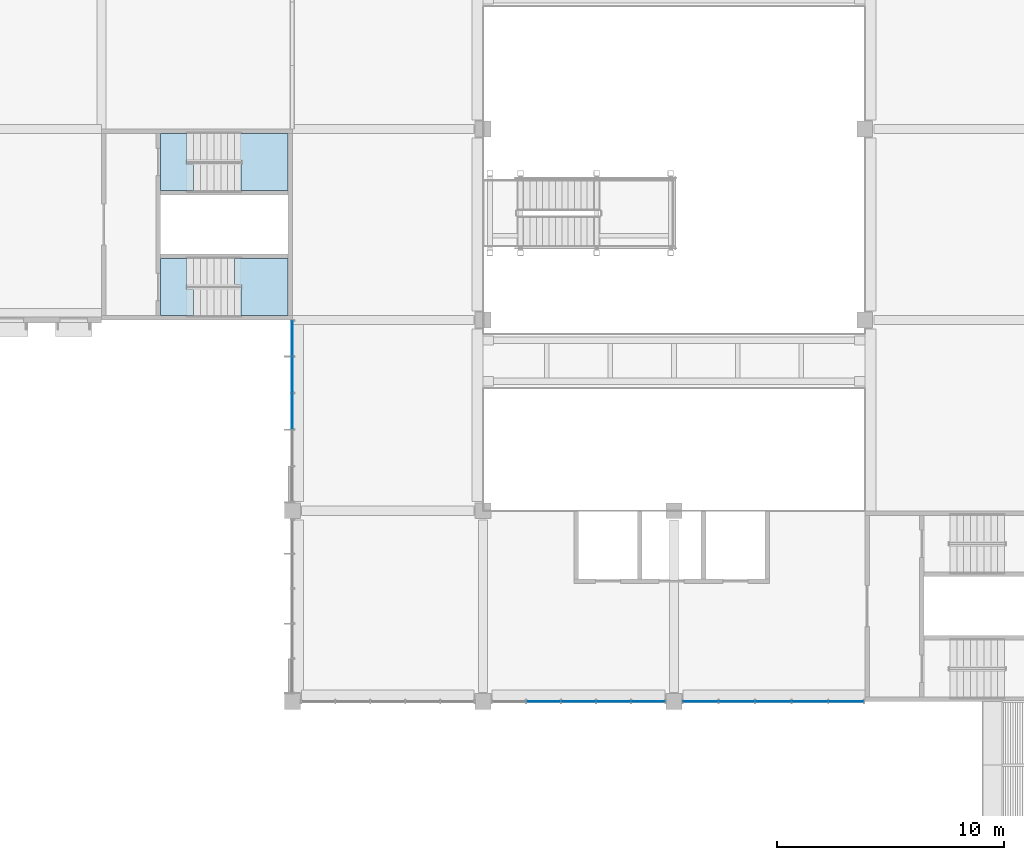
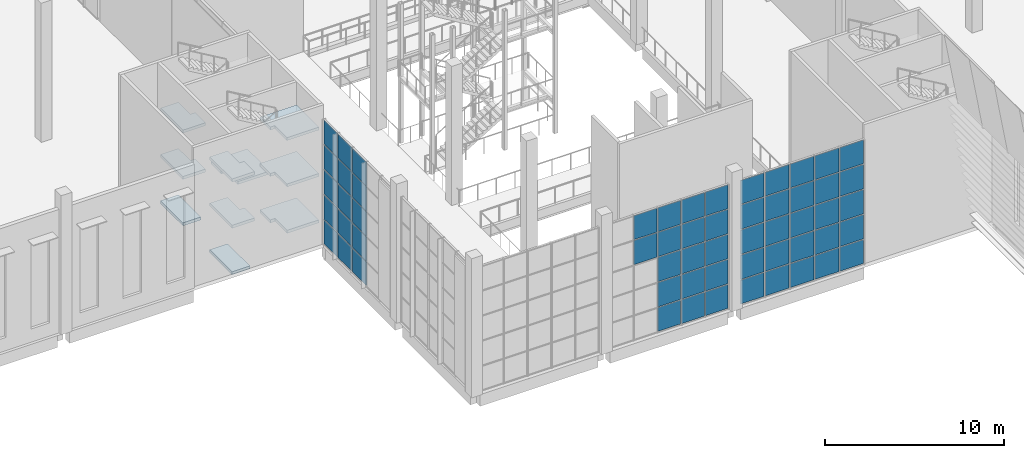
# One storey, part 35 of 114: 57 plates, 10 slabs, 5 elements without a shape of their own.
"""IFC4 building model written with IfcOpenShell, lengths in metres."""

from ifc_helpers import new_model, si_unit, direction, frame, origin, origin_2d, place, context, subcontext, project, spatial, polyline, rectangle, outline, extrude, material, layer, layer_set, type_object, element, aggregate, save


model = new_model("IFC4")

# Units and contexts
model_context = context("Model", 3, precision=1e-05, world=origin(), true_north=direction((0.0, 1.0)))
body_context = subcontext(model_context, "Body", "Model", "MODEL_VIEW")
ifc_project = project(units=[si_unit("LENGTHUNIT", "METRE"), si_unit("AREAUNIT", "SQUARE_METRE"), si_unit("VOLUMEUNIT", "CUBIC_METRE"), si_unit("PLANEANGLEUNIT", "RADIAN"), si_unit("MASSUNIT", "GRAM", prefix="KILO")], contexts=[model_context])

# Site, building, storey
site_placement = place(None, origin())
site = spatial("IfcSite", under=ifc_project, at=site_placement, CompositionType="ELEMENT")
building_placement = place(site_placement, origin())
building = spatial("IfcBuilding", under=site, at=building_placement, Name="Almond Square Museum", CompositionType="ELEMENT")
storey_placement = place(building_placement, frame((0.0, 0.0, 10.5)))
storey = spatial("IfcBuildingStorey", under=building, at=storey_placement, Name="L02", CompositionType="ELEMENT", Elevation=10.5)

# Stair, slabs
ifc_material_1 = material(Name="Concrete C40/50", Category="concrete")
stair_type = type_object("IfcStairType", Name="Exit stair 54 risers of 176 mm", PredefinedType="HALF_TURN_STAIR", material=ifc_material_1)
stair_1_placement = place(storey_placement, origin())
stair_1 = element("IfcStair", 1, at=stair_1_placement, inside=storey, type_object=stair_type, Name="L02 stair N2-1", PredefinedType="HALF_TURN_STAIR")
ifc_material_2 = material(Name="Concrete C40/50", Category="concrete")
ifc_layer_1 = layer(ifc_material_2, 0.199951171875)
ifc_layer_set_1 = layer_set([ifc_layer_1], Name="Concrete C40/50")
slab_type = type_object("IfcSlabType", Name="Concrete stair landing 200", PredefinedType="LANDING", material=ifc_layer_set_1)
slab_1_placement = place(storey_placement, frame((0.0, 0.0, 1.38330078125)))
slab_1 = element("IfcSlab", 2, at=slab_1_placement, type_object=slab_type, Name="ST-19 landing 1", PredefinedType="LANDING", context=body_context, shape_type="SweptSolid", body=[
    extrude(outline(polyline([(70.947021484375, 84.199951171875), (73.0, 84.199951171875), (73.0, 86.699951171875), (70.64990234375, 86.699951171875), (70.64990234375, 85.550048828125), (70.947021484375, 85.550048828125), (70.947021484375, 84.199951171875)])), origin(), (0.0, 0.0, 1.0), 0.199951171875),
])
slab_2_placement = place(storey_placement, frame((0.0, 0.0, 2.966552734375)))
slab_2 = element("IfcSlab", 3, at=slab_2_placement, type_object=slab_type, Name="ST-19 landing 2", PredefinedType="LANDING", context=body_context, shape_type="SweptSolid", body=[
    extrude(outline(polyline([(67.39990234375, 84.199951171875), (68.550048828125, 84.199951171875), (68.85009765625, 84.199951171875), (68.85009765625, 85.35009765625), (68.552978515625, 85.35009765625), (68.552978515625, 86.699951171875), (67.39990234375, 86.699951171875), (67.39990234375, 84.199951171875)])), origin(), (0.0, 0.0, 1.0), 0.2001953125),
])
slab_3_placement = place(storey_placement, frame((0.0, 0.0, 4.550048828125)))
slab_3 = element("IfcSlab", 4, at=slab_3_placement, type_object=slab_type, Name="ST-19 landing 3", PredefinedType="LANDING", context=body_context, shape_type="SweptSolid", body=[
    extrude(outline(polyline([(70.947021484375, 84.199951171875), (73.0, 84.199951171875), (73.0, 86.699951171875), (70.64990234375, 86.699951171875), (70.64990234375, 85.550048828125), (70.947021484375, 85.550048828125), (70.947021484375, 84.199951171875)])), origin(), (0.0, 0.0, 1.0), 0.199951171875),
])
slab_4_placement = place(storey_placement, frame((0.0, 0.0, 6.13330078125)))
slab_4 = element("IfcSlab", 5, at=slab_4_placement, type_object=slab_type, Name="ST-19 landing 4", PredefinedType="LANDING", context=body_context, shape_type="SweptSolid", body=[
    extrude(outline(polyline([(67.39990234375, 84.199951171875), (68.550048828125, 84.199951171875), (68.85009765625, 84.199951171875), (68.85009765625, 85.35009765625), (68.552978515625, 85.35009765625), (68.552978515625, 86.699951171875), (67.39990234375, 86.699951171875), (67.39990234375, 84.199951171875)])), origin(), (0.0, 0.0, 1.0), 0.199951171875),
])
slab_5_placement = place(storey_placement, frame((0.0, 0.0, 7.716552734375)))
slab_5 = element("IfcSlab", 6, at=slab_5_placement, type_object=slab_type, Name="ST-19 landing 5", PredefinedType="LANDING", context=body_context, shape_type="SweptSolid", body=[
    extrude(outline(polyline([(70.947021484375, 84.199951171875), (73.0, 84.199951171875), (73.0, 86.699951171875), (70.64990234375, 86.699951171875), (70.64990234375, 85.550048828125), (70.947021484375, 85.550048828125), (70.947021484375, 84.199951171875)])), origin(), (0.0, 0.0, 1.0), 0.2001953125),
])
aggregate(stair_1, [slab_1, slab_2, slab_3, slab_4, slab_5])

stair_2_placement = place(storey_placement, origin())
stair_2 = element("IfcStair", 7, at=stair_2_placement, inside=storey, type_object=stair_type, Name="L02 stair N2-2", PredefinedType="HALF_TURN_STAIR")
slab_6_placement = place(storey_placement, frame((0.0, 0.0, 1.38330078125)))
slab_6 = element("IfcSlab", 8, at=slab_6_placement, type_object=slab_type, Name="ST-20 landing 1", PredefinedType="LANDING", context=body_context, shape_type="SweptSolid", body=[
    extrude(outline(polyline([(70.947021484375, 89.699951171875), (73.0, 89.699951171875), (73.0, 92.199951171875), (70.64990234375, 92.199951171875), (70.64990234375, 91.050048828125), (70.947021484375, 91.050048828125), (70.947021484375, 89.699951171875)])), origin(), (0.0, 0.0, 1.0), 0.199951171875),
])
slab_7_placement = place(storey_placement, frame((0.0, 0.0, 2.966552734375)))
slab_7 = element("IfcSlab", 9, at=slab_7_placement, type_object=slab_type, Name="ST-20 landing 2", PredefinedType="LANDING", context=body_context, shape_type="SweptSolid", body=[
    extrude(outline(polyline([(67.39990234375, 89.699951171875), (68.550048828125, 89.699951171875), (68.85009765625, 89.699951171875), (68.85009765625, 90.85009765625), (68.552978515625, 90.85009765625), (68.552978515625, 92.199951171875), (67.39990234375, 92.199951171875), (67.39990234375, 89.699951171875)])), origin(), (0.0, 0.0, 1.0), 0.2001953125),
])
slab_8_placement = place(storey_placement, frame((0.0, 0.0, 6.13330078125)))
slab_8 = element("IfcSlab", 10, at=slab_8_placement, type_object=slab_type, Name="ST-20 landing 4", PredefinedType="LANDING", context=body_context, shape_type="SweptSolid", body=[
    extrude(outline(polyline([(67.39990234375, 89.699951171875), (68.550048828125, 89.699951171875), (68.85009765625, 89.699951171875), (68.85009765625, 90.85009765625), (68.552978515625, 90.85009765625), (68.552978515625, 92.199951171875), (67.39990234375, 92.199951171875), (67.39990234375, 89.699951171875)])), origin(), (0.0, 0.0, 1.0), 0.199951171875),
])
aggregate(stair_2, [slab_6, slab_7, slab_8])

# Slabs
slab_9_placement = place(storey_placement, frame((0.0, 0.0, -0.199951171875)))
element("IfcSlab", 11, at=slab_9_placement, inside=storey, type_object=slab_type, Name="L02 stair N2-1 floor landing", PredefinedType="LANDING", context=body_context, shape_type="SweptSolid", body=[
    extrude(outline(polyline([(67.39990234375, 84.199951171875), (68.552978515625, 84.199951171875), (68.552978515625, 86.699951171875), (67.39990234375, 86.699951171875), (67.39990234375, 84.199951171875)])), origin(), (0.0, 0.0, 1.0), 0.199951171875),
])
slab_10_placement = place(storey_placement, frame((0.0, 0.0, -0.199951171875)))
element("IfcSlab", 12, at=slab_10_placement, inside=storey, type_object=slab_type, Name="L02 stair N2-2 floor landing", PredefinedType="LANDING", context=body_context, shape_type="SweptSolid", body=[
    extrude(outline(polyline([(67.39990234375, 89.699951171875), (68.552978515625, 89.699951171875), (68.552978515625, 92.199951171875), (67.39990234375, 92.199951171875), (67.39990234375, 89.699951171875)])), origin(), (0.0, 0.0, 1.0), 0.199951171875),
])

# Curtain wall, plates
ifc_material_3 = material(Name="Aluminium and laminated glass", Category="aluminium")
curtain_wall_type = type_object("IfcCurtainWallType", Name="Unitised curtain wall 1500 module", PredefinedType="NOTDEFINED", material=ifc_material_3)
curtain_wall_1_placement = place(storey_placement, origin())
curtain_wall_1 = element("IfcCurtainWall", 13, at=curtain_wall_1_placement, inside=storey, type_object=curtain_wall_type, Name="Curtain wall CW-26", PredefinedType="NOTDEFINED")
ifc_material_4 = material(Name="Laminated hurricane-rated glass", Category="glass")
ifc_layer_2 = layer(ifc_material_4, 0.035888671875)
ifc_layer_set_2 = layer_set([ifc_layer_2], Name="Laminated hurricane-rated glass")
plate_type = type_object("IfcPlateType", Name="Laminated glass panel 36", PredefinedType="CURTAIN_PANEL", material=ifc_layer_set_2)
plate_1_placement = place(storey_placement, frame((73.199951171875, 79.97509765625, 0.06005859375), z_axis=(0.0, 0.0, 1.0), x_axis=(0.0, 1.0, 0.0)))
plate_1 = element("IfcPlate", 14, at=plate_1_placement, type_object=plate_type, Name="CW-26 panel 3.1", PredefinedType="CURTAIN_PANEL", context=body_context, shape_type="SweptSolid", body=[
    extrude(rectangle(XDim=1.550048828125, YDim=0.035888671875, at=origin_2d()), origin(), (0.0, 0.0, 1.0), 1.6201171875),
])
plate_2_placement = place(storey_placement, frame((73.199951171875, 79.97509765625, 1.739990234375), z_axis=(0.0, 0.0, 1.0), x_axis=(0.0, 1.0, 0.0)))
plate_2 = element("IfcPlate", 15, at=plate_2_placement, type_object=plate_type, Name="CW-26 panel 3.2", PredefinedType="CURTAIN_PANEL", context=body_context, shape_type="SweptSolid", body=[
    extrude(rectangle(XDim=1.550048828125, YDim=0.035888671875, at=origin_2d()), origin(), (0.0, 0.0, 1.0), 1.64990234375),
])
plate_3_placement = place(storey_placement, frame((73.199951171875, 79.97509765625, 3.449951171875), z_axis=(0.0, 0.0, 1.0), x_axis=(0.0, 1.0, 0.0)))
plate_3 = element("IfcPlate", 16, at=plate_3_placement, type_object=plate_type, Name="CW-26 panel 3.3", PredefinedType="CURTAIN_PANEL", context=body_context, shape_type="SweptSolid", body=[
    extrude(rectangle(XDim=1.550048828125, YDim=0.035888671875, at=origin_2d()), origin(), (0.0, 0.0, 1.0), 1.64990234375),
])
plate_4_placement = place(storey_placement, frame((73.199951171875, 79.97509765625, 5.16015625), z_axis=(0.0, 0.0, 1.0), x_axis=(0.0, 1.0, 0.0)))
plate_4 = element("IfcPlate", 17, at=plate_4_placement, type_object=plate_type, Name="CW-26 panel 3.4", PredefinedType="CURTAIN_PANEL", context=body_context, shape_type="SweptSolid", body=[
    extrude(rectangle(XDim=1.550048828125, YDim=0.035888671875, at=origin_2d()), origin(), (0.0, 0.0, 1.0), 1.64990234375),
])
plate_5_placement = place(storey_placement, frame((73.199951171875, 79.97509765625, 6.869873046875), z_axis=(0.0, 0.0, 1.0), x_axis=(0.0, 1.0, 0.0)))
plate_5 = element("IfcPlate", 18, at=plate_5_placement, type_object=plate_type, Name="CW-26 panel 3.5", PredefinedType="CURTAIN_PANEL", context=body_context, shape_type="SweptSolid", body=[
    extrude(rectangle(XDim=1.550048828125, YDim=0.035888671875, at=origin_2d()), origin(), (0.0, 0.0, 1.0), 1.6201171875),
])
plate_6_placement = place(storey_placement, frame((73.199951171875, 81.5849609375, 0.06005859375), z_axis=(0.0, 0.0, 1.0), x_axis=(0.0, 1.0, 0.0)))
plate_6 = element("IfcPlate", 19, at=plate_6_placement, type_object=plate_type, Name="CW-26 panel 4.1", PredefinedType="CURTAIN_PANEL", context=body_context, shape_type="SweptSolid", body=[
    extrude(rectangle(XDim=1.550048828125, YDim=0.035888671875, at=origin_2d()), origin(), (0.0, 0.0, 1.0), 1.6201171875),
])
plate_7_placement = place(storey_placement, frame((73.199951171875, 81.5849609375, 1.739990234375), z_axis=(0.0, 0.0, 1.0), x_axis=(0.0, 1.0, 0.0)))
plate_7 = element("IfcPlate", 20, at=plate_7_placement, type_object=plate_type, Name="CW-26 panel 4.2", PredefinedType="CURTAIN_PANEL", context=body_context, shape_type="SweptSolid", body=[
    extrude(rectangle(XDim=1.550048828125, YDim=0.035888671875, at=origin_2d()), origin(), (0.0, 0.0, 1.0), 1.64990234375),
])
plate_8_placement = place(storey_placement, frame((73.199951171875, 81.5849609375, 3.449951171875), z_axis=(0.0, 0.0, 1.0), x_axis=(0.0, 1.0, 0.0)))
plate_8 = element("IfcPlate", 21, at=plate_8_placement, type_object=plate_type, Name="CW-26 panel 4.3", PredefinedType="CURTAIN_PANEL", context=body_context, shape_type="SweptSolid", body=[
    extrude(rectangle(XDim=1.550048828125, YDim=0.035888671875, at=origin_2d()), origin(), (0.0, 0.0, 1.0), 1.64990234375),
])
plate_9_placement = place(storey_placement, frame((73.199951171875, 81.5849609375, 5.16015625), z_axis=(0.0, 0.0, 1.0), x_axis=(0.0, 1.0, 0.0)))
plate_9 = element("IfcPlate", 22, at=plate_9_placement, type_object=plate_type, Name="CW-26 panel 4.4", PredefinedType="CURTAIN_PANEL", context=body_context, shape_type="SweptSolid", body=[
    extrude(rectangle(XDim=1.550048828125, YDim=0.035888671875, at=origin_2d()), origin(), (0.0, 0.0, 1.0), 1.64990234375),
])
plate_10_placement = place(storey_placement, frame((73.199951171875, 81.5849609375, 6.869873046875), z_axis=(0.0, 0.0, 1.0), x_axis=(0.0, 1.0, 0.0)))
plate_10 = element("IfcPlate", 23, at=plate_10_placement, type_object=plate_type, Name="CW-26 panel 4.5", PredefinedType="CURTAIN_PANEL", context=body_context, shape_type="SweptSolid", body=[
    extrude(rectangle(XDim=1.550048828125, YDim=0.035888671875, at=origin_2d()), origin(), (0.0, 0.0, 1.0), 1.6201171875),
])
plate_11_placement = place(storey_placement, frame((73.199951171875, 83.179931640625, 0.06005859375), z_axis=(0.0, 0.0, 1.0), x_axis=(0.0, 1.0, 0.0)))
plate_11 = element("IfcPlate", 24, at=plate_11_placement, type_object=plate_type, Name="CW-26 panel 5.1", PredefinedType="CURTAIN_PANEL", context=body_context, shape_type="SweptSolid", body=[
    extrude(rectangle(XDim=1.52001953125, YDim=0.035888671875, at=origin_2d()), origin(), (0.0, 0.0, 1.0), 1.6201171875),
])
plate_12_placement = place(storey_placement, frame((73.199951171875, 83.179931640625, 1.739990234375), z_axis=(0.0, 0.0, 1.0), x_axis=(0.0, 1.0, 0.0)))
plate_12 = element("IfcPlate", 25, at=plate_12_placement, type_object=plate_type, Name="CW-26 panel 5.2", PredefinedType="CURTAIN_PANEL", context=body_context, shape_type="SweptSolid", body=[
    extrude(rectangle(XDim=1.52001953125, YDim=0.035888671875, at=origin_2d()), origin(), (0.0, 0.0, 1.0), 1.64990234375),
])
plate_13_placement = place(storey_placement, frame((73.199951171875, 83.179931640625, 3.449951171875), z_axis=(0.0, 0.0, 1.0), x_axis=(0.0, 1.0, 0.0)))
plate_13 = element("IfcPlate", 26, at=plate_13_placement, type_object=plate_type, Name="CW-26 panel 5.3", PredefinedType="CURTAIN_PANEL", context=body_context, shape_type="SweptSolid", body=[
    extrude(rectangle(XDim=1.52001953125, YDim=0.035888671875, at=origin_2d()), origin(), (0.0, 0.0, 1.0), 1.64990234375),
])
plate_14_placement = place(storey_placement, frame((73.199951171875, 83.179931640625, 5.16015625), z_axis=(0.0, 0.0, 1.0), x_axis=(0.0, 1.0, 0.0)))
plate_14 = element("IfcPlate", 27, at=plate_14_placement, type_object=plate_type, Name="CW-26 panel 5.4", PredefinedType="CURTAIN_PANEL", context=body_context, shape_type="SweptSolid", body=[
    extrude(rectangle(XDim=1.52001953125, YDim=0.035888671875, at=origin_2d()), origin(), (0.0, 0.0, 1.0), 1.64990234375),
])
plate_15_placement = place(storey_placement, frame((73.199951171875, 83.179931640625, 6.869873046875), z_axis=(0.0, 0.0, 1.0), x_axis=(0.0, 1.0, 0.0)))
plate_15 = element("IfcPlate", 28, at=plate_15_placement, type_object=plate_type, Name="CW-26 panel 5.5", PredefinedType="CURTAIN_PANEL", context=body_context, shape_type="SweptSolid", body=[
    extrude(rectangle(XDim=1.52001953125, YDim=0.035888671875, at=origin_2d()), origin(), (0.0, 0.0, 1.0), 1.6201171875),
])
aggregate(curtain_wall_1, [plate_1, plate_2, plate_3, plate_4, plate_5, plate_6, plate_7, plate_8, plate_9, plate_10, plate_11, plate_12, plate_13, plate_14, plate_15])

curtain_wall_2_placement = place(storey_placement, origin())
curtain_wall_2 = element("IfcCurtainWall", 29, at=curtain_wall_2_placement, inside=storey, type_object=curtain_wall_type, Name="Curtain wall CW-29", PredefinedType="NOTDEFINED")
plate_16_placement = place(storey_placement, frame((84.260009765625, 67.199951171875, 5.16015625), z_axis=(0.0, 0.0, 1.0), x_axis=(1.0, 0.0, 0.0)))
plate_16 = element("IfcPlate", 30, at=plate_16_placement, type_object=plate_type, Name="CW-29 panel 2.4", PredefinedType="CURTAIN_PANEL", context=body_context, shape_type="SweptSolid", body=[
    extrude(rectangle(XDim=1.47998046875, YDim=0.035888671875, at=origin_2d()), origin(), (0.0, 0.0, 1.0), 1.64990234375),
])
plate_17_placement = place(storey_placement, frame((84.260009765625, 67.199951171875, 6.869873046875), z_axis=(0.0, 0.0, 1.0), x_axis=(1.0, 0.0, 0.0)))
plate_17 = element("IfcPlate", 31, at=plate_17_placement, type_object=plate_type, Name="CW-29 panel 2.5", PredefinedType="CURTAIN_PANEL", context=body_context, shape_type="SweptSolid", body=[
    extrude(rectangle(XDim=1.47998046875, YDim=0.035888671875, at=origin_2d()), origin(), (0.0, 0.0, 1.0), 1.6201171875),
])
plate_18_placement = place(storey_placement, frame((85.800048828125, 67.199951171875, 0.06005859375), z_axis=(0.0, 0.0, 1.0), x_axis=(1.0, 0.0, 0.0)))
plate_18 = element("IfcPlate", 32, at=plate_18_placement, type_object=plate_type, Name="CW-29 panel 3.1", PredefinedType="CURTAIN_PANEL", context=body_context, shape_type="SweptSolid", body=[
    extrude(rectangle(XDim=1.47998046875, YDim=0.035888671875, at=origin_2d()), origin(), (0.0, 0.0, 1.0), 1.6201171875),
])
plate_19_placement = place(storey_placement, frame((85.800048828125, 67.199951171875, 1.739990234375), z_axis=(0.0, 0.0, 1.0), x_axis=(1.0, 0.0, 0.0)))
plate_19 = element("IfcPlate", 33, at=plate_19_placement, type_object=plate_type, Name="CW-29 panel 3.2", PredefinedType="CURTAIN_PANEL", context=body_context, shape_type="SweptSolid", body=[
    extrude(rectangle(XDim=1.47998046875, YDim=0.035888671875, at=origin_2d()), origin(), (0.0, 0.0, 1.0), 1.64990234375),
])
plate_20_placement = place(storey_placement, frame((85.800048828125, 67.199951171875, 3.449951171875), z_axis=(0.0, 0.0, 1.0), x_axis=(1.0, 0.0, 0.0)))
plate_20 = element("IfcPlate", 34, at=plate_20_placement, type_object=plate_type, Name="CW-29 panel 3.3", PredefinedType="CURTAIN_PANEL", context=body_context, shape_type="SweptSolid", body=[
    extrude(rectangle(XDim=1.47998046875, YDim=0.035888671875, at=origin_2d()), origin(), (0.0, 0.0, 1.0), 1.64990234375),
])
plate_21_placement = place(storey_placement, frame((85.800048828125, 67.199951171875, 5.16015625), z_axis=(0.0, 0.0, 1.0), x_axis=(1.0, 0.0, 0.0)))
plate_21 = element("IfcPlate", 35, at=plate_21_placement, type_object=plate_type, Name="CW-29 panel 3.4", PredefinedType="CURTAIN_PANEL", context=body_context, shape_type="SweptSolid", body=[
    extrude(rectangle(XDim=1.47998046875, YDim=0.035888671875, at=origin_2d()), origin(), (0.0, 0.0, 1.0), 1.64990234375),
])
plate_22_placement = place(storey_placement, frame((85.800048828125, 67.199951171875, 6.869873046875), z_axis=(0.0, 0.0, 1.0), x_axis=(1.0, 0.0, 0.0)))
plate_22 = element("IfcPlate", 36, at=plate_22_placement, type_object=plate_type, Name="CW-29 panel 3.5", PredefinedType="CURTAIN_PANEL", context=body_context, shape_type="SweptSolid", body=[
    extrude(rectangle(XDim=1.47998046875, YDim=0.035888671875, at=origin_2d()), origin(), (0.0, 0.0, 1.0), 1.6201171875),
])
plate_23_placement = place(storey_placement, frame((87.340087890625, 67.199951171875, 0.06005859375), z_axis=(0.0, 0.0, 1.0), x_axis=(1.0, 0.0, 0.0)))
plate_23 = element("IfcPlate", 37, at=plate_23_placement, type_object=plate_type, Name="CW-29 panel 4.1", PredefinedType="CURTAIN_PANEL", context=body_context, shape_type="SweptSolid", body=[
    extrude(rectangle(XDim=1.47998046875, YDim=0.035888671875, at=origin_2d()), origin(), (0.0, 0.0, 1.0), 1.6201171875),
])
plate_24_placement = place(storey_placement, frame((87.340087890625, 67.199951171875, 1.739990234375), z_axis=(0.0, 0.0, 1.0), x_axis=(1.0, 0.0, 0.0)))
plate_24 = element("IfcPlate", 38, at=plate_24_placement, type_object=plate_type, Name="CW-29 panel 4.2", PredefinedType="CURTAIN_PANEL", context=body_context, shape_type="SweptSolid", body=[
    extrude(rectangle(XDim=1.47998046875, YDim=0.035888671875, at=origin_2d()), origin(), (0.0, 0.0, 1.0), 1.64990234375),
])
plate_25_placement = place(storey_placement, frame((87.340087890625, 67.199951171875, 3.449951171875), z_axis=(0.0, 0.0, 1.0), x_axis=(1.0, 0.0, 0.0)))
plate_25 = element("IfcPlate", 39, at=plate_25_placement, type_object=plate_type, Name="CW-29 panel 4.3", PredefinedType="CURTAIN_PANEL", context=body_context, shape_type="SweptSolid", body=[
    extrude(rectangle(XDim=1.47998046875, YDim=0.035888671875, at=origin_2d()), origin(), (0.0, 0.0, 1.0), 1.64990234375),
])
plate_26_placement = place(storey_placement, frame((87.340087890625, 67.199951171875, 5.16015625), z_axis=(0.0, 0.0, 1.0), x_axis=(1.0, 0.0, 0.0)))
plate_26 = element("IfcPlate", 40, at=plate_26_placement, type_object=plate_type, Name="CW-29 panel 4.4", PredefinedType="CURTAIN_PANEL", context=body_context, shape_type="SweptSolid", body=[
    extrude(rectangle(XDim=1.47998046875, YDim=0.035888671875, at=origin_2d()), origin(), (0.0, 0.0, 1.0), 1.64990234375),
])
plate_27_placement = place(storey_placement, frame((87.340087890625, 67.199951171875, 6.869873046875), z_axis=(0.0, 0.0, 1.0), x_axis=(1.0, 0.0, 0.0)))
plate_27 = element("IfcPlate", 41, at=plate_27_placement, type_object=plate_type, Name="CW-29 panel 4.5", PredefinedType="CURTAIN_PANEL", context=body_context, shape_type="SweptSolid", body=[
    extrude(rectangle(XDim=1.47998046875, YDim=0.035888671875, at=origin_2d()), origin(), (0.0, 0.0, 1.0), 1.6201171875),
])
plate_28_placement = place(storey_placement, frame((88.864990234375, 67.199951171875, 0.06005859375), z_axis=(0.0, 0.0, 1.0), x_axis=(1.0, 0.0, 0.0)))
plate_28 = element("IfcPlate", 42, at=plate_28_placement, type_object=plate_type, Name="CW-29 panel 5.1", PredefinedType="CURTAIN_PANEL", context=body_context, shape_type="SweptSolid", body=[
    extrude(rectangle(XDim=1.449951171875, YDim=0.035888671875, at=origin_2d()), origin(), (0.0, 0.0, 1.0), 1.6201171875),
])
plate_29_placement = place(storey_placement, frame((88.864990234375, 67.199951171875, 1.739990234375), z_axis=(0.0, 0.0, 1.0), x_axis=(1.0, 0.0, 0.0)))
plate_29 = element("IfcPlate", 43, at=plate_29_placement, type_object=plate_type, Name="CW-29 panel 5.2", PredefinedType="CURTAIN_PANEL", context=body_context, shape_type="SweptSolid", body=[
    extrude(rectangle(XDim=1.449951171875, YDim=0.035888671875, at=origin_2d()), origin(), (0.0, 0.0, 1.0), 1.64990234375),
])
plate_30_placement = place(storey_placement, frame((88.864990234375, 67.199951171875, 3.449951171875), z_axis=(0.0, 0.0, 1.0), x_axis=(1.0, 0.0, 0.0)))
plate_30 = element("IfcPlate", 44, at=plate_30_placement, type_object=plate_type, Name="CW-29 panel 5.3", PredefinedType="CURTAIN_PANEL", context=body_context, shape_type="SweptSolid", body=[
    extrude(rectangle(XDim=1.449951171875, YDim=0.035888671875, at=origin_2d()), origin(), (0.0, 0.0, 1.0), 1.64990234375),
])
plate_31_placement = place(storey_placement, frame((88.864990234375, 67.199951171875, 5.16015625), z_axis=(0.0, 0.0, 1.0), x_axis=(1.0, 0.0, 0.0)))
plate_31 = element("IfcPlate", 45, at=plate_31_placement, type_object=plate_type, Name="CW-29 panel 5.4", PredefinedType="CURTAIN_PANEL", context=body_context, shape_type="SweptSolid", body=[
    extrude(rectangle(XDim=1.449951171875, YDim=0.035888671875, at=origin_2d()), origin(), (0.0, 0.0, 1.0), 1.64990234375),
])
plate_32_placement = place(storey_placement, frame((88.864990234375, 67.199951171875, 6.869873046875), z_axis=(0.0, 0.0, 1.0), x_axis=(1.0, 0.0, 0.0)))
plate_32 = element("IfcPlate", 46, at=plate_32_placement, type_object=plate_type, Name="CW-29 panel 5.5", PredefinedType="CURTAIN_PANEL", context=body_context, shape_type="SweptSolid", body=[
    extrude(rectangle(XDim=1.449951171875, YDim=0.035888671875, at=origin_2d()), origin(), (0.0, 0.0, 1.0), 1.6201171875),
])
aggregate(curtain_wall_2, [plate_16, plate_17, plate_18, plate_19, plate_20, plate_21, plate_22, plate_23, plate_24, plate_25, plate_26, plate_27, plate_28, plate_29, plate_30, plate_31, plate_32])

curtain_wall_3_placement = place(storey_placement, origin())
curtain_wall_3 = element("IfcCurtainWall", 47, at=curtain_wall_3_placement, inside=storey, type_object=curtain_wall_type, Name="Curtain wall CW-30", PredefinedType="NOTDEFINED")
plate_33_placement = place(storey_placement, frame((91.169921875, 67.199951171875, 0.06005859375), z_axis=(0.0, 0.0, 1.0), x_axis=(1.0, 0.0, 0.0)))
plate_33 = element("IfcPlate", 48, at=plate_33_placement, type_object=plate_type, Name="CW-30 panel 1.1", PredefinedType="CURTAIN_PANEL", context=body_context, shape_type="SweptSolid", body=[
    extrude(rectangle(XDim=1.52001953125, YDim=0.035888671875, at=origin_2d()), origin(), (0.0, 0.0, 1.0), 1.6201171875),
])
plate_34_placement = place(storey_placement, frame((91.169921875, 67.199951171875, 1.739990234375), z_axis=(0.0, 0.0, 1.0), x_axis=(1.0, 0.0, 0.0)))
plate_34 = element("IfcPlate", 49, at=plate_34_placement, type_object=plate_type, Name="CW-30 panel 1.2", PredefinedType="CURTAIN_PANEL", context=body_context, shape_type="SweptSolid", body=[
    extrude(rectangle(XDim=1.52001953125, YDim=0.035888671875, at=origin_2d()), origin(), (0.0, 0.0, 1.0), 1.64990234375),
])
plate_35_placement = place(storey_placement, frame((91.169921875, 67.199951171875, 3.449951171875), z_axis=(0.0, 0.0, 1.0), x_axis=(1.0, 0.0, 0.0)))
plate_35 = element("IfcPlate", 50, at=plate_35_placement, type_object=plate_type, Name="CW-30 panel 1.3", PredefinedType="CURTAIN_PANEL", context=body_context, shape_type="SweptSolid", body=[
    extrude(rectangle(XDim=1.52001953125, YDim=0.035888671875, at=origin_2d()), origin(), (0.0, 0.0, 1.0), 1.64990234375),
])
plate_36_placement = place(storey_placement, frame((91.169921875, 67.199951171875, 5.16015625), z_axis=(0.0, 0.0, 1.0), x_axis=(1.0, 0.0, 0.0)))
plate_36 = element("IfcPlate", 51, at=plate_36_placement, type_object=plate_type, Name="CW-30 panel 1.4", PredefinedType="CURTAIN_PANEL", context=body_context, shape_type="SweptSolid", body=[
    extrude(rectangle(XDim=1.52001953125, YDim=0.035888671875, at=origin_2d()), origin(), (0.0, 0.0, 1.0), 1.64990234375),
])
plate_37_placement = place(storey_placement, frame((91.169921875, 67.199951171875, 6.869873046875), z_axis=(0.0, 0.0, 1.0), x_axis=(1.0, 0.0, 0.0)))
plate_37 = element("IfcPlate", 52, at=plate_37_placement, type_object=plate_type, Name="CW-30 panel 1.5", PredefinedType="CURTAIN_PANEL", context=body_context, shape_type="SweptSolid", body=[
    extrude(rectangle(XDim=1.52001953125, YDim=0.035888671875, at=origin_2d()), origin(), (0.0, 0.0, 1.0), 1.6201171875),
])
plate_38_placement = place(storey_placement, frame((92.764892578125, 67.199951171875, 0.06005859375), z_axis=(0.0, 0.0, 1.0), x_axis=(1.0, 0.0, 0.0)))
plate_38 = element("IfcPlate", 53, at=plate_38_placement, type_object=plate_type, Name="CW-30 panel 2.1", PredefinedType="CURTAIN_PANEL", context=body_context, shape_type="SweptSolid", body=[
    extrude(rectangle(XDim=1.550048828125, YDim=0.035888671875, at=origin_2d()), origin(), (0.0, 0.0, 1.0), 1.6201171875),
])
plate_39_placement = place(storey_placement, frame((92.764892578125, 67.199951171875, 1.739990234375), z_axis=(0.0, 0.0, 1.0), x_axis=(1.0, 0.0, 0.0)))
plate_39 = element("IfcPlate", 54, at=plate_39_placement, type_object=plate_type, Name="CW-30 panel 2.2", PredefinedType="CURTAIN_PANEL", context=body_context, shape_type="SweptSolid", body=[
    extrude(rectangle(XDim=1.550048828125, YDim=0.035888671875, at=origin_2d()), origin(), (0.0, 0.0, 1.0), 1.64990234375),
])
plate_40_placement = place(storey_placement, frame((92.764892578125, 67.199951171875, 3.449951171875), z_axis=(0.0, 0.0, 1.0), x_axis=(1.0, 0.0, 0.0)))
plate_40 = element("IfcPlate", 55, at=plate_40_placement, type_object=plate_type, Name="CW-30 panel 2.3", PredefinedType="CURTAIN_PANEL", context=body_context, shape_type="SweptSolid", body=[
    extrude(rectangle(XDim=1.550048828125, YDim=0.035888671875, at=origin_2d()), origin(), (0.0, 0.0, 1.0), 1.64990234375),
])
plate_41_placement = place(storey_placement, frame((92.764892578125, 67.199951171875, 5.16015625), z_axis=(0.0, 0.0, 1.0), x_axis=(1.0, 0.0, 0.0)))
plate_41 = element("IfcPlate", 56, at=plate_41_placement, type_object=plate_type, Name="CW-30 panel 2.4", PredefinedType="CURTAIN_PANEL", context=body_context, shape_type="SweptSolid", body=[
    extrude(rectangle(XDim=1.550048828125, YDim=0.035888671875, at=origin_2d()), origin(), (0.0, 0.0, 1.0), 1.64990234375),
])
plate_42_placement = place(storey_placement, frame((92.764892578125, 67.199951171875, 6.869873046875), z_axis=(0.0, 0.0, 1.0), x_axis=(1.0, 0.0, 0.0)))
plate_42 = element("IfcPlate", 57, at=plate_42_placement, type_object=plate_type, Name="CW-30 panel 2.5", PredefinedType="CURTAIN_PANEL", context=body_context, shape_type="SweptSolid", body=[
    extrude(rectangle(XDim=1.550048828125, YDim=0.035888671875, at=origin_2d()), origin(), (0.0, 0.0, 1.0), 1.6201171875),
])
plate_43_placement = place(storey_placement, frame((94.375, 67.199951171875, 0.06005859375), z_axis=(0.0, 0.0, 1.0), x_axis=(1.0, 0.0, 0.0)))
plate_43 = element("IfcPlate", 58, at=plate_43_placement, type_object=plate_type, Name="CW-30 panel 3.1", PredefinedType="CURTAIN_PANEL", context=body_context, shape_type="SweptSolid", body=[
    extrude(rectangle(XDim=1.550048828125, YDim=0.035888671875, at=origin_2d()), origin(), (0.0, 0.0, 1.0), 1.6201171875),
])
plate_44_placement = place(storey_placement, frame((94.375, 67.199951171875, 1.739990234375), z_axis=(0.0, 0.0, 1.0), x_axis=(1.0, 0.0, 0.0)))
plate_44 = element("IfcPlate", 59, at=plate_44_placement, type_object=plate_type, Name="CW-30 panel 3.2", PredefinedType="CURTAIN_PANEL", context=body_context, shape_type="SweptSolid", body=[
    extrude(rectangle(XDim=1.550048828125, YDim=0.035888671875, at=origin_2d()), origin(), (0.0, 0.0, 1.0), 1.64990234375),
])
plate_45_placement = place(storey_placement, frame((94.375, 67.199951171875, 3.449951171875), z_axis=(0.0, 0.0, 1.0), x_axis=(1.0, 0.0, 0.0)))
plate_45 = element("IfcPlate", 60, at=plate_45_placement, type_object=plate_type, Name="CW-30 panel 3.3", PredefinedType="CURTAIN_PANEL", context=body_context, shape_type="SweptSolid", body=[
    extrude(rectangle(XDim=1.550048828125, YDim=0.035888671875, at=origin_2d()), origin(), (0.0, 0.0, 1.0), 1.64990234375),
])
plate_46_placement = place(storey_placement, frame((94.375, 67.199951171875, 5.16015625), z_axis=(0.0, 0.0, 1.0), x_axis=(1.0, 0.0, 0.0)))
plate_46 = element("IfcPlate", 61, at=plate_46_placement, type_object=plate_type, Name="CW-30 panel 3.4", PredefinedType="CURTAIN_PANEL", context=body_context, shape_type="SweptSolid", body=[
    extrude(rectangle(XDim=1.550048828125, YDim=0.035888671875, at=origin_2d()), origin(), (0.0, 0.0, 1.0), 1.64990234375),
])
plate_47_placement = place(storey_placement, frame((94.375, 67.199951171875, 6.869873046875), z_axis=(0.0, 0.0, 1.0), x_axis=(1.0, 0.0, 0.0)))
plate_47 = element("IfcPlate", 62, at=plate_47_placement, type_object=plate_type, Name="CW-30 panel 3.5", PredefinedType="CURTAIN_PANEL", context=body_context, shape_type="SweptSolid", body=[
    extrude(rectangle(XDim=1.550048828125, YDim=0.035888671875, at=origin_2d()), origin(), (0.0, 0.0, 1.0), 1.6201171875),
])
plate_48_placement = place(storey_placement, frame((95.985107421875, 67.199951171875, 0.06005859375), z_axis=(0.0, 0.0, 1.0), x_axis=(1.0, 0.0, 0.0)))
plate_48 = element("IfcPlate", 63, at=plate_48_placement, type_object=plate_type, Name="CW-30 panel 4.1", PredefinedType="CURTAIN_PANEL", context=body_context, shape_type="SweptSolid", body=[
    extrude(rectangle(XDim=1.550048828125, YDim=0.035888671875, at=origin_2d()), origin(), (0.0, 0.0, 1.0), 1.6201171875),
])
plate_49_placement = place(storey_placement, frame((95.985107421875, 67.199951171875, 1.739990234375), z_axis=(0.0, 0.0, 1.0), x_axis=(1.0, 0.0, 0.0)))
plate_49 = element("IfcPlate", 64, at=plate_49_placement, type_object=plate_type, Name="CW-30 panel 4.2", PredefinedType="CURTAIN_PANEL", context=body_context, shape_type="SweptSolid", body=[
    extrude(rectangle(XDim=1.550048828125, YDim=0.035888671875, at=origin_2d()), origin(), (0.0, 0.0, 1.0), 1.64990234375),
])
plate_50_placement = place(storey_placement, frame((95.985107421875, 67.199951171875, 3.449951171875), z_axis=(0.0, 0.0, 1.0), x_axis=(1.0, 0.0, 0.0)))
plate_50 = element("IfcPlate", 65, at=plate_50_placement, type_object=plate_type, Name="CW-30 panel 4.3", PredefinedType="CURTAIN_PANEL", context=body_context, shape_type="SweptSolid", body=[
    extrude(rectangle(XDim=1.550048828125, YDim=0.035888671875, at=origin_2d()), origin(), (0.0, 0.0, 1.0), 1.64990234375),
])
plate_51_placement = place(storey_placement, frame((95.985107421875, 67.199951171875, 5.16015625), z_axis=(0.0, 0.0, 1.0), x_axis=(1.0, 0.0, 0.0)))
plate_51 = element("IfcPlate", 66, at=plate_51_placement, type_object=plate_type, Name="CW-30 panel 4.4", PredefinedType="CURTAIN_PANEL", context=body_context, shape_type="SweptSolid", body=[
    extrude(rectangle(XDim=1.550048828125, YDim=0.035888671875, at=origin_2d()), origin(), (0.0, 0.0, 1.0), 1.64990234375),
])
plate_52_placement = place(storey_placement, frame((95.985107421875, 67.199951171875, 6.869873046875), z_axis=(0.0, 0.0, 1.0), x_axis=(1.0, 0.0, 0.0)))
plate_52 = element("IfcPlate", 67, at=plate_52_placement, type_object=plate_type, Name="CW-30 panel 4.5", PredefinedType="CURTAIN_PANEL", context=body_context, shape_type="SweptSolid", body=[
    extrude(rectangle(XDim=1.550048828125, YDim=0.035888671875, at=origin_2d()), origin(), (0.0, 0.0, 1.0), 1.6201171875),
])
plate_53_placement = place(storey_placement, frame((97.580078125, 67.199951171875, 0.06005859375), z_axis=(0.0, 0.0, 1.0), x_axis=(1.0, 0.0, 0.0)))
plate_53 = element("IfcPlate", 68, at=plate_53_placement, type_object=plate_type, Name="CW-30 panel 5.1", PredefinedType="CURTAIN_PANEL", context=body_context, shape_type="SweptSolid", body=[
    extrude(rectangle(XDim=1.52001953125, YDim=0.035888671875, at=origin_2d()), origin(), (0.0, 0.0, 1.0), 1.6201171875),
])
plate_54_placement = place(storey_placement, frame((97.580078125, 67.199951171875, 1.739990234375), z_axis=(0.0, 0.0, 1.0), x_axis=(1.0, 0.0, 0.0)))
plate_54 = element("IfcPlate", 69, at=plate_54_placement, type_object=plate_type, Name="CW-30 panel 5.2", PredefinedType="CURTAIN_PANEL", context=body_context, shape_type="SweptSolid", body=[
    extrude(rectangle(XDim=1.52001953125, YDim=0.035888671875, at=origin_2d()), origin(), (0.0, 0.0, 1.0), 1.64990234375),
])
plate_55_placement = place(storey_placement, frame((97.580078125, 67.199951171875, 3.449951171875), z_axis=(0.0, 0.0, 1.0), x_axis=(1.0, 0.0, 0.0)))
plate_55 = element("IfcPlate", 70, at=plate_55_placement, type_object=plate_type, Name="CW-30 panel 5.3", PredefinedType="CURTAIN_PANEL", context=body_context, shape_type="SweptSolid", body=[
    extrude(rectangle(XDim=1.52001953125, YDim=0.035888671875, at=origin_2d()), origin(), (0.0, 0.0, 1.0), 1.64990234375),
])
plate_56_placement = place(storey_placement, frame((97.580078125, 67.199951171875, 5.16015625), z_axis=(0.0, 0.0, 1.0), x_axis=(1.0, 0.0, 0.0)))
plate_56 = element("IfcPlate", 71, at=plate_56_placement, type_object=plate_type, Name="CW-30 panel 5.4", PredefinedType="CURTAIN_PANEL", context=body_context, shape_type="SweptSolid", body=[
    extrude(rectangle(XDim=1.52001953125, YDim=0.035888671875, at=origin_2d()), origin(), (0.0, 0.0, 1.0), 1.64990234375),
])
plate_57_placement = place(storey_placement, frame((97.580078125, 67.199951171875, 6.869873046875), z_axis=(0.0, 0.0, 1.0), x_axis=(1.0, 0.0, 0.0)))
plate_57 = element("IfcPlate", 72, at=plate_57_placement, type_object=plate_type, Name="CW-30 panel 5.5", PredefinedType="CURTAIN_PANEL", context=body_context, shape_type="SweptSolid", body=[
    extrude(rectangle(XDim=1.52001953125, YDim=0.035888671875, at=origin_2d()), origin(), (0.0, 0.0, 1.0), 1.6201171875),
])
aggregate(curtain_wall_3, [plate_33, plate_34, plate_35, plate_36, plate_37, plate_38, plate_39, plate_40, plate_41, plate_42, plate_43, plate_44, plate_45, plate_46, plate_47, plate_48, plate_49, plate_50, plate_51, plate_52, plate_53, plate_54, plate_55, plate_56, plate_57])

save(model, "model.ifc")
